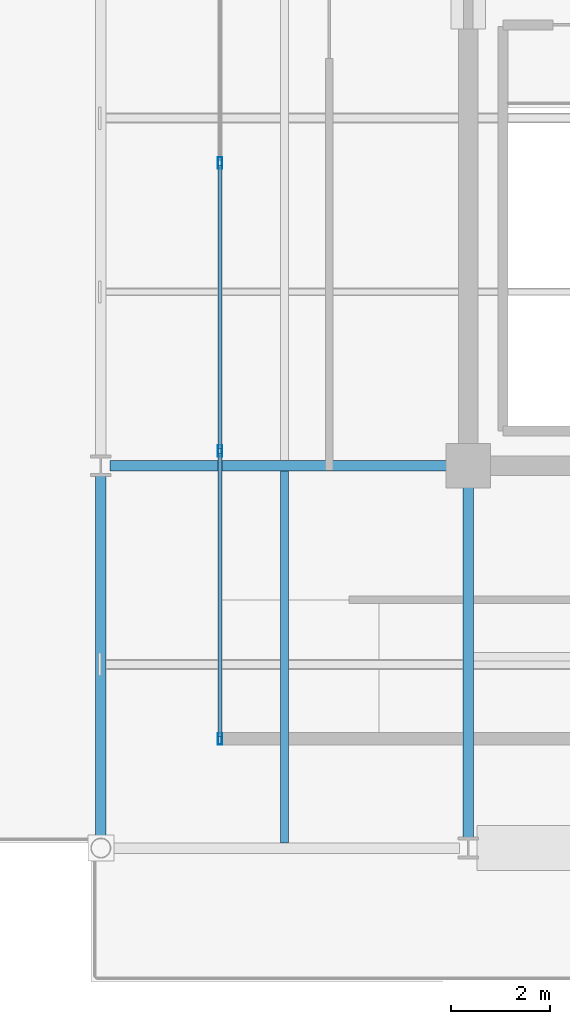
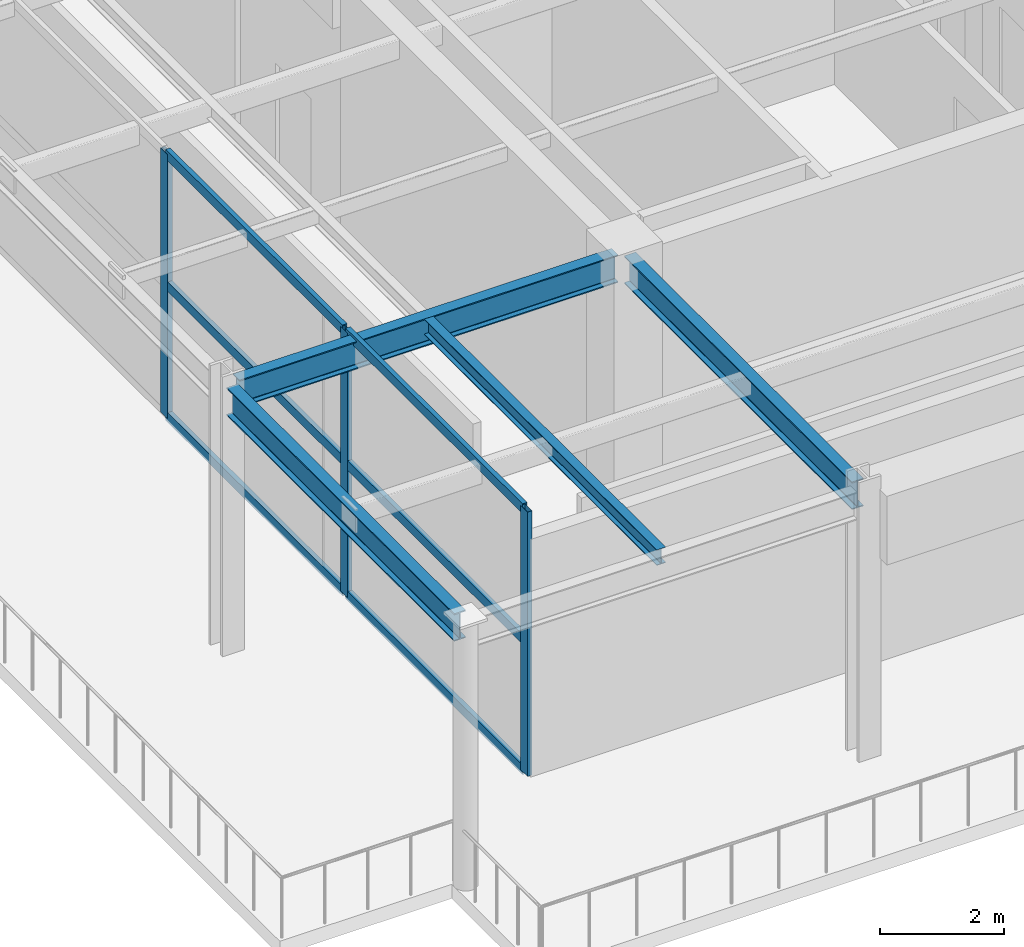
# One storey, part 2 of 16: 9 members, 4 beams, 1 element without a shape of its own.
"""IFC4 building model written with IfcOpenShell, lengths in metres."""

from ifc_helpers import new_model, si_unit, direction, frame, origin, origin_2d, place, context, subcontext, project, spatial, hollow_rectangle, i_section, extrude, material, material_profile, profile_set, type_object, element, aggregate, save


model = new_model("IFC4")

# Units and contexts
model_context = context("Model", 3, precision=1e-05, world=origin(), true_north=direction((0.0, 1.0)))
body_context = subcontext(model_context, "Body", "Model", "MODEL_VIEW")
ifc_project = project(units=[si_unit("LENGTHUNIT", "METRE"), si_unit("AREAUNIT", "SQUARE_METRE"), si_unit("VOLUMEUNIT", "CUBIC_METRE"), si_unit("PLANEANGLEUNIT", "RADIAN"), si_unit("MASSUNIT", "GRAM", prefix="KILO")], contexts=[model_context])

# Site, building, storey
site_placement = place(None, origin())
site = spatial("IfcSite", under=ifc_project, at=site_placement, CompositionType="ELEMENT")
building_placement = place(site_placement, origin())
building = spatial("IfcBuilding", under=site, at=building_placement, Name="Kovane Verandah Tower", CompositionType="ELEMENT")
storey_placement = place(building_placement, frame((0.0, 0.0, 354.300048828125)))
storey = spatial("IfcBuildingStorey", under=building, at=storey_placement, Name="L82", CompositionType="ELEMENT", Elevation=354.300048828125)

# Beams
ifc_material_1 = material(Name="Steel S355", Category="steel")
ifc_material_profile_1 = material_profile(ifc_material_1, i_section(OverallWidth=0.2119140625, OverallDepth=0.54443359375, WebThickness=0.0126953125, FlangeThickness=0.021240234375, FilletRadius=0.0126953125, at=origin_2d()), Name="UB533x210x122")
ifc_profile_set_1 = profile_set([ifc_material_profile_1], Name="Steel S355")
beam_type_1 = type_object("IfcBeamType", Name="BM-UB533x122", PredefinedType="BEAM", material=ifc_profile_set_1)
beam_1_placement = place(storey_placement, frame((21.60009765625, 10.97998046875, 4.9677734375), z_axis=(0.0, 1.0, 0.0), x_axis=(-1.0, 0.0, 0.0)))
element("IfcBeam", 1, at=beam_1_placement, inside=storey, type_object=beam_type_1, Name="L82 Primary Tower Girder G-RW1", PredefinedType="BEAM", context=body_context, shape_type="SweptSolid", body=[
    extrude(i_section(OverallWidth=0.2119140625, OverallDepth=0.54443359375, WebThickness=0.0126953125, FlangeThickness=0.021240234375, FilletRadius=0.0126953125, at=origin_2d()), origin(), (0.0, 0.0, 1.0), 7.340087890625),
])
beam_2_placement = place(storey_placement, frame((28.820068359375, 18.5, 4.9677734375), z_axis=(-1.0, 0.0, 0.0), x_axis=(0.0, -1.0, 0.0)))
element("IfcBeam", 2, at=beam_2_placement, inside=storey, type_object=beam_type_1, Name="L82 Primary Tower Girder G-W1", PredefinedType="BEAM", context=body_context, shape_type="SweptSolid", body=[
    extrude(i_section(OverallWidth=0.2119140625, OverallDepth=0.54443359375, WebThickness=0.0126953125, FlangeThickness=0.021240234375, FilletRadius=0.0126953125, at=origin_2d()), origin(), (0.0, 0.0, 1.0), 7.0400390625),
])
beam_3_placement = place(storey_placement, frame((29.0, 18.320068359375, 4.9677734375), z_axis=(0.0, -1.0, 0.0), x_axis=(1.0, 0.0, 0.0)))
element("IfcBeam", 3, at=beam_3_placement, inside=storey, type_object=beam_type_1, Name="L82 Primary Tower Girder G-S1", PredefinedType="BEAM", context=body_context, shape_type="SweptSolid", body=[
    extrude(i_section(OverallWidth=0.2119140625, OverallDepth=0.54443359375, WebThickness=0.0126953125, FlangeThickness=0.021240234375, FilletRadius=0.0126953125, at=origin_2d()), origin(), (0.0, 0.0, 1.0), 7.340087890625),
])

# Curtain wall, members
ifc_material_2 = material(Name="Champagne Anodised Aluminium Frame with Low-E Clear Laminated Glass", Category="aluminium")
curtain_wall_type = type_object("IfcCurtainWallType", Name="CW-SYS-06-CROWN", PredefinedType="NOTDEFINED", material=ifc_material_2)
curtain_wall_placement = place(storey_placement, origin())
curtain_wall = element("IfcCurtainWall", 4, at=curtain_wall_placement, inside=storey, type_object=curtain_wall_type, Name="L82 Crown Enclosure Curtain Wall W", PredefinedType="NOTDEFINED")
ifc_material_3 = material(Name="Champagne Anodised Aluminium 6063-T6", Category="aluminium")
ifc_material_profile_2 = material_profile(ifc_material_3, hollow_rectangle(XDim=0.0849609375, YDim=0.22998046875, WallThickness=0.00390625, at=origin_2d()), Name="AL85x230x4")
ifc_profile_set_2 = profile_set([ifc_material_profile_2], Name="Champagne Anodised Aluminium 6063-T6")
member_type_1 = type_object("IfcMemberType", Name="CW-MUL-85x230", PredefinedType="MULLION", material=ifc_profile_set_2)
member_1_placement = place(storey_placement, frame((24.0, 24.60009765625, 0.02001953125), z_axis=(0.0, 0.0, 1.0), x_axis=(-1.0, 0.0, 0.0)))
member_1 = element("IfcMember", 5, at=member_1_placement, type_object=member_type_1, Name="L82 Crown Enclosure Curtain Wall W Mullion 4", PredefinedType="MULLION", context=body_context, shape_type="SweptSolid", body=[
    extrude(hollow_rectangle(XDim=0.0849609375, YDim=0.22998046875, WallThickness=0.00390625, at=origin_2d()), origin(), (0.0, 0.0, 1.0), 5.199951171875),
])
member_2_placement = place(storey_placement, frame((24.0, 18.800048828125, 0.02001953125), z_axis=(0.0, 0.0, 1.0), x_axis=(-1.0, 0.0, 0.0)))
member_2 = element("IfcMember", 6, at=member_2_placement, type_object=member_type_1, Name="L82 Crown Enclosure Curtain Wall W Mullion 5", PredefinedType="MULLION", context=body_context, shape_type="SweptSolid", body=[
    extrude(hollow_rectangle(XDim=0.0849609375, YDim=0.22998046875, WallThickness=0.00390625, at=origin_2d()), origin(), (0.0, 0.0, 1.0), 5.199951171875),
])
member_3_placement = place(storey_placement, frame((24.0, 13.0, 0.02001953125), z_axis=(0.0, 0.0, 1.0), x_axis=(-1.0, 0.0, 0.0)))
member_3 = element("IfcMember", 7, at=member_3_placement, type_object=member_type_1, Name="L82 Crown Enclosure Curtain Wall W Mullion 6", PredefinedType="MULLION", context=body_context, shape_type="SweptSolid", body=[
    extrude(hollow_rectangle(XDim=0.0849609375, YDim=0.22998046875, WallThickness=0.00390625, at=origin_2d()), origin(), (0.0, 0.0, 1.0), 5.199951171875),
])
ifc_material_profile_3 = material_profile(ifc_material_3, hollow_rectangle(XDim=0.0849609375, YDim=0.18994140625, WallThickness=0.00390625, at=origin_2d()), Name="AL85x190x4")
ifc_profile_set_3 = profile_set([ifc_material_profile_3], Name="Champagne Anodised Aluminium 6063-T6")
member_type_2 = type_object("IfcMemberType", Name="CW-TRN-85x190", PredefinedType="USERDEFINED", material=ifc_profile_set_3)
member_4_placement = place(storey_placement, frame((24.0, 24.550048828125, 0.050048828125), z_axis=(0.0, -1.0, 0.0), x_axis=(1.0, 0.0, 0.0)))
member_4 = element("IfcMember", 8, at=member_4_placement, type_object=member_type_2, Name="L82 Crown Enclosure Curtain Wall W Transom TB Bay 4", ObjectType="TRANSOM", PredefinedType="USERDEFINED", context=body_context, shape_type="SweptSolid", body=[
    extrude(hollow_rectangle(XDim=0.0849609375, YDim=0.18994140625, WallThickness=0.00390625, at=origin_2d()), origin(), (0.0, 0.0, 1.0), 5.699951171875),
])
member_5_placement = place(storey_placement, frame((24.0, 24.550048828125, 2.619873046875), z_axis=(0.0, -1.0, 0.0), x_axis=(1.0, 0.0, 0.0)))
member_5 = element("IfcMember", 9, at=member_5_placement, type_object=member_type_2, Name="L82 Crown Enclosure Curtain Wall W Transom TM Bay 4", ObjectType="TRANSOM", PredefinedType="USERDEFINED", context=body_context, shape_type="SweptSolid", body=[
    extrude(hollow_rectangle(XDim=0.0849609375, YDim=0.18994140625, WallThickness=0.00390625, at=origin_2d()), origin(), (0.0, 0.0, 1.0), 5.699951171875),
])
member_6_placement = place(storey_placement, frame((24.0, 24.550048828125, 5.18994140625), z_axis=(0.0, -1.0, 0.0), x_axis=(1.0, 0.0, 0.0)))
member_6 = element("IfcMember", 10, at=member_6_placement, type_object=member_type_2, Name="L82 Crown Enclosure Curtain Wall W Transom TT Bay 4", ObjectType="TRANSOM", PredefinedType="USERDEFINED", context=body_context, shape_type="SweptSolid", body=[
    extrude(hollow_rectangle(XDim=0.0849609375, YDim=0.18994140625, WallThickness=0.00390625, at=origin_2d()), origin(), (0.0, 0.0, 1.0), 5.699951171875),
])
member_7_placement = place(storey_placement, frame((24.0, 18.75, 0.050048828125), z_axis=(0.0, -1.0, 0.0), x_axis=(1.0, 0.0, 0.0)))
member_7 = element("IfcMember", 11, at=member_7_placement, type_object=member_type_2, Name="L82 Crown Enclosure Curtain Wall W Transom TB Bay 5", ObjectType="TRANSOM", PredefinedType="USERDEFINED", context=body_context, shape_type="SweptSolid", body=[
    extrude(hollow_rectangle(XDim=0.0849609375, YDim=0.18994140625, WallThickness=0.00390625, at=origin_2d()), origin(), (0.0, 0.0, 1.0), 5.699951171875),
])
member_8_placement = place(storey_placement, frame((24.0, 18.75, 2.619873046875), z_axis=(0.0, -1.0, 0.0), x_axis=(1.0, 0.0, 0.0)))
member_8 = element("IfcMember", 12, at=member_8_placement, type_object=member_type_2, Name="L82 Crown Enclosure Curtain Wall W Transom TM Bay 5", ObjectType="TRANSOM", PredefinedType="USERDEFINED", context=body_context, shape_type="SweptSolid", body=[
    extrude(hollow_rectangle(XDim=0.0849609375, YDim=0.18994140625, WallThickness=0.00390625, at=origin_2d()), origin(), (0.0, 0.0, 1.0), 5.699951171875),
])
member_9_placement = place(storey_placement, frame((24.0, 18.75, 5.18994140625), z_axis=(0.0, -1.0, 0.0), x_axis=(1.0, 0.0, 0.0)))
member_9 = element("IfcMember", 13, at=member_9_placement, type_object=member_type_2, Name="L82 Crown Enclosure Curtain Wall W Transom TT Bay 5", ObjectType="TRANSOM", PredefinedType="USERDEFINED", context=body_context, shape_type="SweptSolid", body=[
    extrude(hollow_rectangle(XDim=0.0849609375, YDim=0.18994140625, WallThickness=0.00390625, at=origin_2d()), origin(), (0.0, 0.0, 1.0), 5.699951171875),
])
aggregate(curtain_wall, [member_1, member_2, member_3, member_4, member_5, member_6, member_7, member_8, member_9])

# Beam
ifc_material_profile_4 = material_profile(ifc_material_1, i_section(OverallWidth=0.1669921875, OverallDepth=0.310302734375, WebThickness=0.0078125, FlangeThickness=0.013671875, FilletRadius=0.0087890625, at=origin_2d()), Name="UB305x165x54")
ifc_profile_set_4 = profile_set([ifc_material_profile_4], Name="Steel S355")
beam_type_2 = type_object("IfcBeamType", Name="JST-UB305x54", PredefinedType="JOIST", material=ifc_profile_set_4)
beam_4_placement = place(storey_placement, frame((25.300048828125, 10.904052734375, 5.084716796875), z_axis=(0.0, 1.0, 0.0), x_axis=(-1.0, 0.0, 0.0)))
element("IfcBeam", 14, at=beam_4_placement, inside=storey, type_object=beam_type_2, Name="L82 Secondary Composite Joist J-SW1", PredefinedType="JOIST", context=body_context, shape_type="SweptSolid", body=[
    extrude(i_section(OverallWidth=0.1669921875, OverallDepth=0.310302734375, WebThickness=0.0078125, FlangeThickness=0.013671875, FilletRadius=0.0087890625, at=origin_2d()), origin(), (0.0, 0.0, 1.0), 7.491943359375),
])

save(model, "model.ifc")
